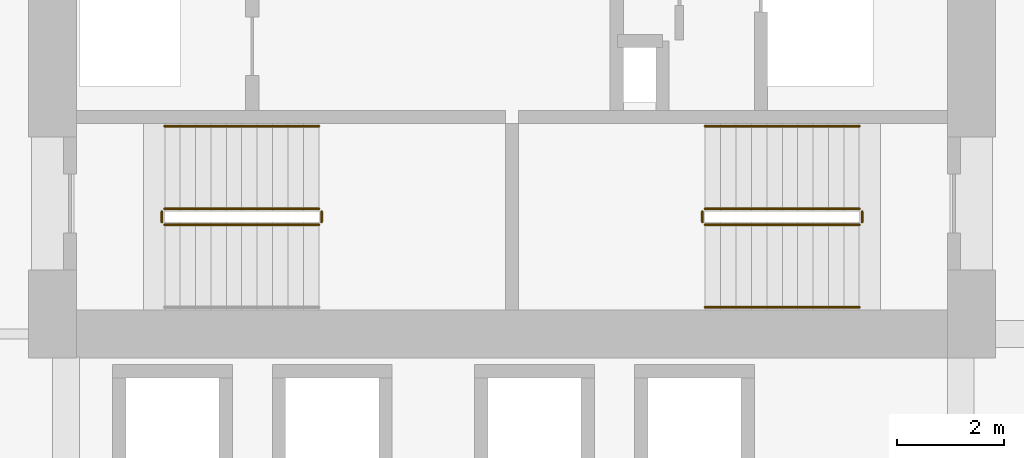
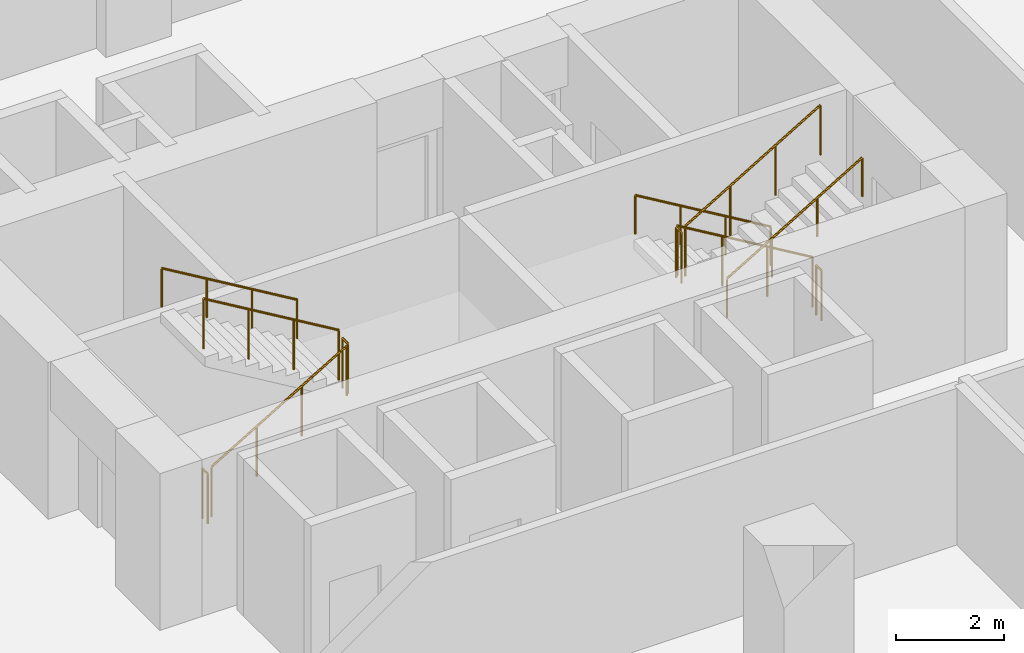
# One storey, part 19 of 21: 11 railings.
"""IFC4 building model written with IfcOpenShell, lengths in metres."""

import ifcopenshell
import ifcopenshell.guid

model = None  # the IFC model being written
_history = None  # IfcOwnerHistory: only IFC2X3 demands one
_inside = {}  # id of a spatial element -> (the spatial element, [elements in it])
_under = {}  # id of a project, library or spatial element -> (it, [spatial elements below it])
_declared = {}  # id of a project -> (the project, [libraries it declares])
_typed = {}  # id of a type object -> (the type object, [elements of that type])
_made_of = {}  # id of a material, layer set ... -> (it, [elements and type objects made of it])


def new_model(schema):
    """Start an empty IFC model of exactly this schema.

    Asked for "IFC4X3", IfcOpenShell would pick the latest addendum, in which some entities
    have other attributes; the version numbers below select the first issue.
    IFC2X3 requires an IfcOwnerHistory on every rooted entity: one is made here for all.
    """
    global model, _history
    if schema == "IFC4X3":
        model = ifcopenshell.file(schema_version=(4, 3, 0, 0))
    else:
        model = ifcopenshell.file(schema=schema)
    _inside.clear()
    _under.clear()
    _declared.clear()
    _typed.clear()
    _made_of.clear()
    _history = None
    if model.schema == "IFC2X3":
        org = make("IfcOrganization", Name="unknown")
        user = make(
            "IfcPersonAndOrganization",
            ThePerson=make("IfcPerson", FamilyName="unknown"),
            TheOrganization=org,
        )
        app = make(
            "IfcApplication",
            ApplicationDeveloper=org,
            Version="unknown",
            ApplicationFullName="unknown",
            ApplicationIdentifier="unknown",
        )
        _history = make(
            "IfcOwnerHistory",
            OwningUser=user,
            OwningApplication=app,
            ChangeAction="ADDED",
            CreationDate=0,
        )
    return model


def make(cls, **values):
    """One entity of the class cls with the attributes given. An attribute that is None is left unset."""
    return model.create_entity(
        cls, **{name: value for name, value in values.items() if value is not None}
    )


def rooted(cls, **values):
    """An entity with a GlobalId (a new one), such as an element, a storey or a relation."""
    return make(cls, GlobalId=ifcopenshell.guid.new(), OwnerHistory=_history, **values)


def si_unit(unit_type, name, prefix=None):
    """IfcSIUnit, for example si_unit("LENGTHUNIT", "METRE", prefix="MILLI")."""
    return make("IfcSIUnit", UnitType=unit_type, Prefix=prefix, Name=name)


def assignment(units):
    """IfcUnitAssignment: the units of a project."""
    return None if units is None else make("IfcUnitAssignment", Units=units)


def point(xyz):
    """IfcCartesianPoint."""
    return None if xyz is None else make("IfcCartesianPoint", Coordinates=xyz)


def direction(xyz):
    """IfcDirection."""
    return None if xyz is None else make("IfcDirection", DirectionRatios=xyz)


def frame(location, z_axis=None, x_axis=None):
    """IfcAxis2Placement3D, a coordinate frame: its origin and axes. An axis left out is left unset."""
    return make(
        "IfcAxis2Placement3D",
        Location=point(location),
        Axis=direction(z_axis),
        RefDirection=direction(x_axis),
    )


def frame_2d(location, x_axis=None):
    """IfcAxis2Placement2D, a coordinate frame in the plane: its origin and x axis."""
    return make(
        "IfcAxis2Placement2D", Location=point(location), RefDirection=direction(x_axis)
    )


def origin():
    """The frame at (0, 0, 0) with its axes left unset."""
    return frame((0.0, 0.0, 0.0))


def origin_2d():
    """The frame at (0, 0) in the plane with its x axis left unset."""
    return frame_2d((0.0, 0.0))


def place(relative_to, where):
    """IfcLocalPlacement: puts the frame where relative to a parent placement (None: the world)."""
    return make(
        "IfcLocalPlacement", PlacementRelTo=relative_to, RelativePlacement=where
    )


def context(
    kind, dimensions, precision=None, world=None, true_north=None, identifier=None
):
    """IfcGeometricRepresentationContext, for example the 3D "Model" context."""
    return make(
        "IfcGeometricRepresentationContext",
        ContextIdentifier=identifier,
        ContextType=kind,
        CoordinateSpaceDimension=dimensions,
        Precision=precision,
        WorldCoordinateSystem=world,
        TrueNorth=true_north,
    )


def subcontext(parent, identifier, kind, view, scale=None):
    """IfcGeometricRepresentationSubContext, for example "Body" below "Model"."""
    return make(
        "IfcGeometricRepresentationSubContext",
        ContextIdentifier=identifier,
        ContextType=kind,
        ParentContext=parent,
        TargetScale=scale,
        TargetView=view,
    )


def project(units=None, contexts=None):
    """IfcProject with its units and contexts."""
    return rooted(
        "IfcProject",
        Name="project",
        RepresentationContexts=contexts,
        UnitsInContext=assignment(units),
    )


def spatial(cls, under=None, at=None, **own):
    """A site, building, storey or space (cls), placed at a placement, below another one or the project."""
    s = rooted(cls, ObjectPlacement=at, **own)
    if under is not None:
        _under.setdefault(under.id(), (under, []))[1].append(s)
    return s


def profile(cls, at=None, kind="AREA", **sizes):
    """A parametric profile (cls). Its sizes go by their IFC names, for example OverallWidth=200.0."""
    return make(cls, ProfileType=kind, Position=at, **sizes)


def circle(**sizes):
    """IfcCircleProfileDef."""
    return profile("IfcCircleProfileDef", **sizes)


def extrude(swept, where, along, depth):
    """IfcExtrudedAreaSolid: the profile swept, set in the frame where, extruded along a direction by depth."""
    return make(
        "IfcExtrudedAreaSolid",
        SweptArea=swept,
        Position=where,
        ExtrudedDirection=direction(along),
        Depth=depth,
    )


def shape(context_of_items, identifier, shape_type, items):
    """IfcShapeRepresentation: the items that make up one representation, for example the "Body"."""
    return make(
        "IfcShapeRepresentation",
        ContextOfItems=context_of_items,
        RepresentationIdentifier=identifier,
        RepresentationType=shape_type,
        Items=items,
    )


def material(Name=None, Category=None):
    """IfcMaterial."""
    return make("IfcMaterial", Name=Name, Category=Category)


def made_of(thing, what):
    """Note that an element or type object is made of a material, layer set ...; save() writes the relation."""
    if what is not None:
        _made_of.setdefault(what.id(), (what, []))[1].append(thing)
    return thing


def type_object(cls, material=None, **own):
    """A type object (cls), such as IfcWallType, which elements share."""
    return made_of(rooted(cls, **own), material)


def element(
    cls,
    number,
    at=None,
    inside=None,
    cuts=None,
    type_object=None,
    material=None,
    context=None,
    identifier="Body",
    shape_type=None,
    held_by="IfcProductDefinitionShape",
    body=None,
    shapes=None,
    **own,
):
    """One element of the class cls, such as IfcWall. Its Tag is "e" and its number.

    at: its placement. inside: the storey or other place that contains it. cuts: it is an
    opening in that element (IfcRelVoidsElement). A single representation is given by context,
    identifier, shape_type and body (its items); several are given by shapes. held_by: the class
    of the entity that holds the representations. save() writes the other relations.
    """
    e = rooted(cls, Tag="e%d" % number, ObjectPlacement=at, **own)
    if body is not None:
        shapes = [shape(context, identifier, shape_type, body)]
    if shapes is not None:
        e.Representation = make(held_by, Representations=shapes)
    if inside is not None:
        _inside.setdefault(inside.id(), (inside, []))[1].append(e)
    if cuts is not None:
        rooted(
            "IfcRelVoidsElement", RelatingBuildingElement=cuts, RelatedOpeningElement=e
        )
    if type_object is not None:
        _typed.setdefault(type_object.id(), (type_object, []))[1].append(e)
    return made_of(e, material)


def aggregate(whole, parts):
    """IfcRelAggregates: a whole, such as a stair, and the parts it consists of."""
    return rooted("IfcRelAggregates", RelatingObject=whole, RelatedObjects=parts)


def save(model, path):
    """Write the relations noted so far, then the file.

    IfcRelAggregates (storeys below a building ...), IfcRelContainedInSpatialStructure (elements
    in a storey), IfcRelDefinesByType, IfcRelAssociatesMaterial and IfcRelDeclares: one each for
    every whole, place, type object, material and project.
    """
    for whole, parts in _under.values():
        aggregate(whole, parts)
    for where, things in _inside.values():
        rooted(
            "IfcRelContainedInSpatialStructure",
            RelatedElements=things,
            RelatingStructure=where,
        )
    for kind, things in _typed.values():
        rooted("IfcRelDefinesByType", RelatedObjects=things, RelatingType=kind)
    for what, things in _made_of.values():
        rooted("IfcRelAssociatesMaterial", RelatedObjects=things, RelatingMaterial=what)
    for by, libraries in _declared.values():
        rooted("IfcRelDeclares", RelatingContext=by, RelatedDefinitions=libraries)
    model.write(path)


model = new_model("IFC4")

# Units and contexts
model_context = context("Model", 3, precision=1e-05, world=origin(), true_north=direction((0.0, 1.0)))
body_context = subcontext(model_context, "Body", "Model", "MODEL_VIEW")
ifc_project = project(units=[si_unit("LENGTHUNIT", "METRE"), si_unit("AREAUNIT", "SQUARE_METRE"), si_unit("VOLUMEUNIT", "CUBIC_METRE"), si_unit("PLANEANGLEUNIT", "RADIAN"), si_unit("MASSUNIT", "GRAM", prefix="KILO")], contexts=[model_context])

# Site, building, storey
site_placement = place(None, origin())
site = spatial("IfcSite", under=ifc_project, at=site_placement, CompositionType="ELEMENT")
building_placement = place(site_placement, origin())
building = spatial("IfcBuilding", under=site, at=building_placement, Name="Koriwani Terraces Tower", CompositionType="ELEMENT")
storey_placement = place(building_placement, frame((0.0, 0.0, 77.60009765625)))
storey = spatial("IfcBuildingStorey", under=building, at=storey_placement, Name="L18", CompositionType="ELEMENT", Elevation=77.60009765625)

# Railings
ifc_material = material(Name="Steel ASTM A572 Grade 50", Category="steel")
railing_type_1 = type_object("IfcRailingType", Name="GUARD_STAIR_WELL_1120", PredefinedType="GUARDRAIL", material=ifc_material)
railing_1_placement = place(storey_placement, frame((43.85009765625, 18.85009765625, 0.172607421875)))
element("IfcRailing", 1, at=railing_1_placement, inside=storey, type_object=railing_type_1, Name="L18 ST-E1 stair guard 1", PredefinedType="GUARDRAIL", context=body_context, shape_type="SweptSolid", body=[
    extrude(circle(Radius=0.02392578125, at=origin_2d()), frame((0.0, 0.0, 1.1259765625), z_axis=(0.859141464434, 0.0, 0.511738159696), x_axis=(0.0, 1.0, 0.0)), (0.0, 0.0, 1.0), 3.375244140625),
    extrude(circle(Radius=0.02099609375, at=origin_2d()), origin(), (0.0, 0.0, 1.0), 1.101806640625),
    extrude(circle(Radius=0.02099609375, at=origin_2d()), frame((0.966552734375, 0.0, 0.57568359375)), (0.0, 0.0, 1.0), 1.101806640625),
    extrude(circle(Radius=0.02099609375, at=origin_2d()), frame((1.933349609375, 0.0, 1.151611328125)), (0.0, 0.0, 1.0), 1.101806640625),
    extrude(circle(Radius=0.02099609375, at=origin_2d()), frame((2.89990234375, 0.0, 1.727294921875)), (0.0, 0.0, 1.0), 1.101806640625),
])
railing_2_placement = place(storey_placement, frame((46.800048828125, 18.89990234375, 1.89990234375)))
element("IfcRailing", 2, at=railing_2_placement, inside=storey, type_object=railing_type_1, Name="L18 ST-E1 stair guard 2", PredefinedType="GUARDRAIL", context=body_context, shape_type="SweptSolid", body=[
    extrude(circle(Radius=0.02392578125, at=origin_2d()), frame((0.0, 0.0, 1.1259765625), z_axis=(0.0, 1.0, 0.0), x_axis=(-1.0, 0.0, 0.0)), (0.0, 0.0, 1.0), 0.2001953125),
    extrude(circle(Radius=0.02099609375, at=origin_2d()), origin(), (0.0, 0.0, 1.0), 1.101806640625),
    extrude(circle(Radius=0.02099609375, at=origin_2d()), frame((0.0, 0.2001953125, 0.0)), (0.0, 0.0, 1.0), 1.101806640625),
])
railing_3_placement = place(storey_placement, frame((46.75, 19.14990234375, 2.072509765625)))
element("IfcRailing", 3, at=railing_3_placement, inside=storey, type_object=railing_type_1, Name="L18 ST-E1 stair guard 3", PredefinedType="GUARDRAIL", context=body_context, shape_type="SweptSolid", body=[
    extrude(circle(Radius=0.02392578125, at=origin_2d()), frame((0.0, 0.0, 1.1259765625), z_axis=(-0.859141464434, 0.0, 0.511738159696), x_axis=(0.0, -1.0, 0.0)), (0.0, 0.0, 1.0), 3.375244140625),
    extrude(circle(Radius=0.02099609375, at=origin_2d()), origin(), (0.0, 0.0, 1.0), 1.101806640625),
    extrude(circle(Radius=0.02099609375, at=origin_2d()), frame((-0.966552734375, 0.0, 0.57568359375)), (0.0, 0.0, 1.0), 1.101806640625),
    extrude(circle(Radius=0.02099609375, at=origin_2d()), frame((-1.933349609375, 0.0, 1.151611328125)), (0.0, 0.0, 1.0), 1.101806640625),
    extrude(circle(Radius=0.02099609375, at=origin_2d()), frame((-2.89990234375, 0.0, 1.727294921875)), (0.0, 0.0, 1.0), 1.101806640625),
])
railing_4_placement = place(storey_placement, frame((43.800048828125, 18.89990234375, 0.0)))
element("IfcRailing", 4, at=railing_4_placement, inside=storey, type_object=railing_type_1, Name="L18 ST-E1 stair guard 4", PredefinedType="GUARDRAIL", context=body_context, shape_type="SweptSolid", body=[
    extrude(circle(Radius=0.02392578125, at=origin_2d()), frame((0.0, 0.0, 1.1259765625), z_axis=(0.0, 1.0, 0.0), x_axis=(-1.0, 0.0, 0.0)), (0.0, 0.0, 1.0), 0.2001953125),
    extrude(circle(Radius=0.02099609375, at=origin_2d()), origin(), (0.0, 0.0, 1.0), 1.101806640625),
    extrude(circle(Radius=0.02099609375, at=origin_2d()), frame((0.0, 0.2001953125, 0.0)), (0.0, 0.0, 1.0), 1.101806640625),
])
railing_5_placement = place(storey_placement, frame((56.89990234375, 19.14990234375, 0.172607421875)))
element("IfcRailing", 5, at=railing_5_placement, inside=storey, type_object=railing_type_1, Name="L18 ST-E2 stair guard 1", PredefinedType="GUARDRAIL", context=body_context, shape_type="SweptSolid", body=[
    extrude(circle(Radius=0.02392578125, at=origin_2d()), frame((0.0, 0.0, 1.1259765625), z_axis=(-0.859141464434, 0.0, 0.511738159696), x_axis=(0.0, -1.0, 0.0)), (0.0, 0.0, 1.0), 3.375244140625),
    extrude(circle(Radius=0.02099609375, at=origin_2d()), origin(), (0.0, 0.0, 1.0), 1.101806640625),
    extrude(circle(Radius=0.02099609375, at=origin_2d()), frame((-0.966552734375, 0.0, 0.57568359375)), (0.0, 0.0, 1.0), 1.101806640625),
    extrude(circle(Radius=0.02099609375, at=origin_2d()), frame((-1.933349609375, 0.0, 1.151611328125)), (0.0, 0.0, 1.0), 1.101806640625),
    extrude(circle(Radius=0.02099609375, at=origin_2d()), frame((-2.89990234375, 0.0, 1.727294921875)), (0.0, 0.0, 1.0), 1.101806640625),
])
railing_6_placement = place(storey_placement, frame((53.949951171875, 19.10009765625, 1.89990234375)))
element("IfcRailing", 6, at=railing_6_placement, inside=storey, type_object=railing_type_1, Name="L18 ST-E2 stair guard 2", PredefinedType="GUARDRAIL", context=body_context, shape_type="SweptSolid", body=[
    extrude(circle(Radius=0.02392578125, at=origin_2d()), frame((0.0, 0.0, 1.1259765625), z_axis=(0.0, -1.0, 0.0), x_axis=(1.0, 0.0, 0.0)), (0.0, 0.0, 1.0), 0.2001953125),
    extrude(circle(Radius=0.02099609375, at=origin_2d()), origin(), (0.0, 0.0, 1.0), 1.101806640625),
    extrude(circle(Radius=0.02099609375, at=origin_2d()), frame((0.0, -0.2001953125, 0.0)), (0.0, 0.0, 1.0), 1.101806640625),
])
railing_7_placement = place(storey_placement, frame((54.0, 18.85009765625, 2.072509765625)))
element("IfcRailing", 7, at=railing_7_placement, inside=storey, type_object=railing_type_1, Name="L18 ST-E2 stair guard 3", PredefinedType="GUARDRAIL", context=body_context, shape_type="SweptSolid", body=[
    extrude(circle(Radius=0.02392578125, at=origin_2d()), frame((0.0, 0.0, 1.1259765625), z_axis=(0.859141464434, 0.0, 0.511738159696), x_axis=(0.0, 1.0, 0.0)), (0.0, 0.0, 1.0), 3.375244140625),
    extrude(circle(Radius=0.02099609375, at=origin_2d()), origin(), (0.0, 0.0, 1.0), 1.101806640625),
    extrude(circle(Radius=0.02099609375, at=origin_2d()), frame((0.966552734375, 0.0, 0.57568359375)), (0.0, 0.0, 1.0), 1.101806640625),
    extrude(circle(Radius=0.02099609375, at=origin_2d()), frame((1.933349609375, 0.0, 1.151611328125)), (0.0, 0.0, 1.0), 1.101806640625),
    extrude(circle(Radius=0.02099609375, at=origin_2d()), frame((2.89990234375, 0.0, 1.727294921875)), (0.0, 0.0, 1.0), 1.101806640625),
])
railing_8_placement = place(storey_placement, frame((56.949951171875, 19.10009765625, 0.0)))
element("IfcRailing", 8, at=railing_8_placement, inside=storey, type_object=railing_type_1, Name="L18 ST-E2 stair guard 4", PredefinedType="GUARDRAIL", context=body_context, shape_type="SweptSolid", body=[
    extrude(circle(Radius=0.02392578125, at=origin_2d()), frame((0.0, 0.0, 1.1259765625), z_axis=(0.0, -1.0, 0.0), x_axis=(1.0, 0.0, 0.0)), (0.0, 0.0, 1.0), 0.2001953125),
    extrude(circle(Radius=0.02099609375, at=origin_2d()), origin(), (0.0, 0.0, 1.0), 1.101806640625),
    extrude(circle(Radius=0.02099609375, at=origin_2d()), frame((0.0, -0.2001953125, 0.0)), (0.0, 0.0, 1.0), 1.101806640625),
])
railing_type_2 = type_object("IfcRailingType", Name="HANDRAIL_STAIR_920", PredefinedType="HANDRAIL", material=ifc_material)
for number, where, name in (
    (9, (46.75, 20.699951171875, 2.072509765625), "L18 ST-E1 stair handrail 2"),
    (10, (56.89990234375, 20.699951171875, 0.172607421875), "L18 ST-E2 stair handrail 1"),
):
    element("IfcRailing", number, at=place(storey_placement, frame(where)), inside=storey, type_object=railing_type_2, Name=name, PredefinedType="HANDRAIL", context=body_context, shape_type="SweptSolid", body=[
        extrude(circle(Radius=0.02392578125, at=origin_2d()), frame((0.0, 0.0, 0.8759765625), z_axis=(-0.859141464434, 0.0, 0.511738159696), x_axis=(0.0, -1.0, 0.0)), (0.0, 0.0, 1.0), 3.375244140625),
        extrude(circle(Radius=0.02099609375, at=origin_2d()), origin(), (0.0, 0.0, 1.0), 0.851806640625),
        extrude(circle(Radius=0.02099609375, at=origin_2d()), frame((-0.966552734375, 0.0, 0.57568359375)), (0.0, 0.0, 1.0), 0.851806640625),
        extrude(circle(Radius=0.02099609375, at=origin_2d()), frame((-1.933349609375, 0.0, 1.151611328125)), (0.0, 0.0, 1.0), 0.851806640625),
        extrude(circle(Radius=0.02099609375, at=origin_2d()), frame((-2.89990234375, 0.0, 1.727294921875)), (0.0, 0.0, 1.0), 0.851806640625),
    ])
railing_9_placement = place(storey_placement, frame((54.0, 17.300048828125, 2.072509765625)))
element("IfcRailing", 11, at=railing_9_placement, inside=storey, type_object=railing_type_2, Name="L18 ST-E2 stair handrail 2", PredefinedType="HANDRAIL", context=body_context, shape_type="SweptSolid", body=[
    extrude(circle(Radius=0.02392578125, at=origin_2d()), frame((0.0, 0.0, 0.8759765625), z_axis=(0.859141464434, 0.0, 0.511738159696), x_axis=(0.0, 1.0, 0.0)), (0.0, 0.0, 1.0), 3.375244140625),
    extrude(circle(Radius=0.02099609375, at=origin_2d()), origin(), (0.0, 0.0, 1.0), 0.851806640625),
    extrude(circle(Radius=0.02099609375, at=origin_2d()), frame((0.966552734375, 0.0, 0.57568359375)), (0.0, 0.0, 1.0), 0.851806640625),
    extrude(circle(Radius=0.02099609375, at=origin_2d()), frame((1.933349609375, 0.0, 1.151611328125)), (0.0, 0.0, 1.0), 0.851806640625),
    extrude(circle(Radius=0.02099609375, at=origin_2d()), frame((2.89990234375, 0.0, 1.727294921875)), (0.0, 0.0, 1.0), 0.851806640625),
])

save(model, "model.ifc")
